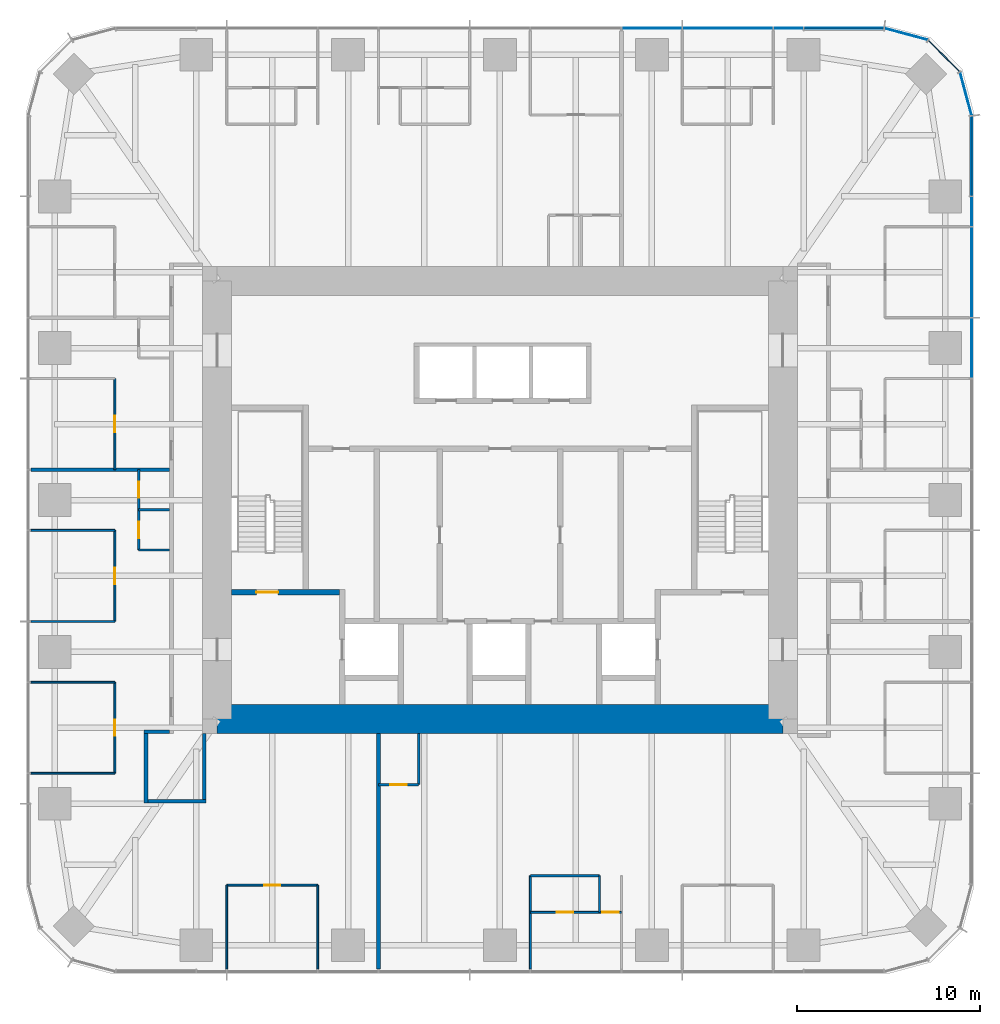
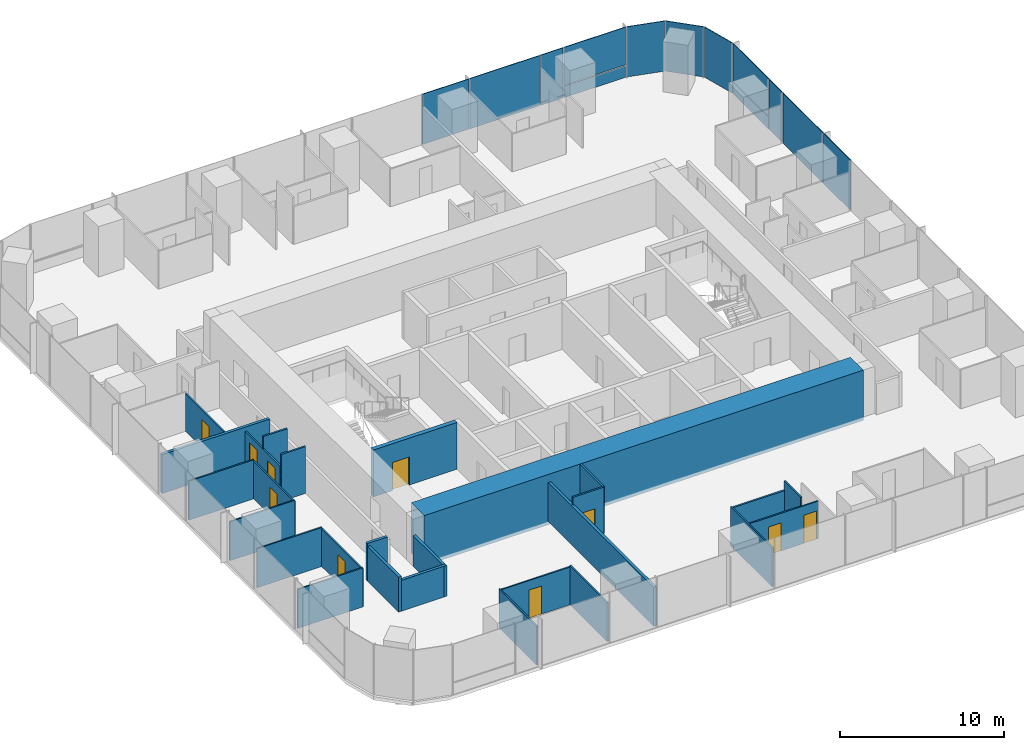
# One storey, part 8 of 12: 27 walls, 13 plates, 10 doors, 10 openings, 3 elements without a shape of their own.
"""IFC4 building model written with IfcOpenShell, lengths in metres."""

from ifc_helpers import new_model, si_unit, direction, frame, frame_2d, origin, origin_2d, place, context, subcontext, project, spatial, rectangle, extrude, material, layer, layer_set, type_object, element, fill, aggregate, save


model = new_model("IFC4")

# Units and contexts
model_context = context("Model", 3, precision=1e-05, world=origin(), true_north=direction((0.0, 1.0)))
body_context = subcontext(model_context, "Body", "Model", "MODEL_VIEW")
ifc_project = project(units=[si_unit("LENGTHUNIT", "METRE"), si_unit("AREAUNIT", "SQUARE_METRE"), si_unit("VOLUMEUNIT", "CUBIC_METRE"), si_unit("PLANEANGLEUNIT", "RADIAN"), si_unit("MASSUNIT", "GRAM", prefix="KILO")], contexts=[model_context])

# Site, building, storey
site_placement = place(None, origin())
site = spatial("IfcSite", under=ifc_project, at=site_placement, CompositionType="ELEMENT")
building_placement = place(site_placement, origin())
building = spatial("IfcBuilding", under=site, at=building_placement, Name="Khuree Lantern Residences", CompositionType="ELEMENT")
storey_placement = place(building_placement, frame((0.0, 0.0, 244.5)))
storey = spatial("IfcBuildingStorey", under=building, at=storey_placement, Name="L61", CompositionType="ELEMENT", Elevation=244.5)

# Curtain wall, plates
ifc_material_1 = material(Name="Bronze anodised aluminium", Category="aluminium")
curtain_wall_type_1 = type_object("IfcCurtainWallType", Name="CW-T2 TOWER CORNER CURTAIN WALL", PredefinedType="USERDEFINED", material=ifc_material_1)
curtain_wall_1_placement = place(storey_placement, origin())
curtain_wall_1 = element("IfcCurtainWall", 1, at=curtain_wall_1_placement, inside=storey, type_object=curtain_wall_type_1, Name="L61 NORTH-EAST CORNER CURTAIN WALL", ObjectType="Faceted corner curtain wall", PredefinedType="USERDEFINED")
ifc_material_2 = material(Name="Bronze tinted triple glazing", Category="glass")
ifc_layer_1 = layer(ifc_material_2, 0.048095703125)
ifc_layer_set_1 = layer_set([ifc_layer_1], Name="FACET PANEL P4")
plate_type_1 = type_object("IfcPlateType", Name="FACET PANEL P4", PredefinedType="CURTAIN_PANEL", material=ifc_layer_set_1)
plate_1_placement = place(storey_placement, frame((25.529052734375, 22.248046875, 0.0), z_axis=(0.0, 0.0, 1.0), x_axis=(-0.258819021888, 0.965925832509, 0.0)))
plate_1 = element("IfcPlate", 2, at=plate_1_placement, type_object=plate_type_1, Name="L61 NORTH-EAST CORNER PANEL 15.1", PredefinedType="CURTAIN_PANEL", context=body_context, shape_type="SweptSolid", body=[
    extrude(rectangle(XDim=2.40869140625, YDim=0.048095703125, at=origin_2d()), origin(), (0.0, 0.0, 1.0), 3.75),
])
plate_2_placement = place(storey_placement, frame((24.328369140625, 24.328369140625, 0.0), z_axis=(0.0, 0.0, 1.0), x_axis=(-0.707106781187, 0.707106781187, 0.0)))
plate_2 = element("IfcPlate", 3, at=plate_2_placement, type_object=plate_type_1, Name="L61 NORTH-EAST CORNER PANEL 16.1", PredefinedType="CURTAIN_PANEL", context=body_context, shape_type="SweptSolid", body=[
    extrude(rectangle(XDim=2.404541015625, YDim=0.048095703125, at=origin_2d()), origin(), (0.0, 0.0, 1.0), 3.75),
])
plate_3_placement = place(storey_placement, frame((22.248046875, 25.529052734375, 0.0), z_axis=(0.0, 0.0, 1.0), x_axis=(-0.965925832509, 0.258819021888, 0.0)))
plate_3 = element("IfcPlate", 4, at=plate_3_placement, type_object=plate_type_1, Name="L61 NORTH-EAST CORNER PANEL 17.1", PredefinedType="CURTAIN_PANEL", context=body_context, shape_type="SweptSolid", body=[
    extrude(rectangle(XDim=2.40869140625, YDim=0.048095703125, at=origin_2d()), origin(), (0.0, 0.0, 1.0), 3.75),
])
aggregate(curtain_wall_1, [plate_1, plate_2, plate_3])

# Curtain wall, plate
curtain_wall_type_2 = type_object("IfcCurtainWallType", Name="CW-T1 TOWER FACE CURTAIN WALL", PredefinedType="USERDEFINED", material=ifc_material_1)
curtain_wall_2_placement = place(storey_placement, origin())
curtain_wall_2 = element("IfcCurtainWall", 5, at=curtain_wall_2_placement, inside=storey, type_object=curtain_wall_type_2, Name="L61 EAST FACE CURTAIN WALL", ObjectType="Stick-built curtain wall", PredefinedType="USERDEFINED")
ifc_material_3 = material(Name="Bronze tinted triple glazing with a ceramic-fritted spandrel band", Category="glass")
ifc_layer_2 = layer(ifc_material_3, 0.048095703125)
ifc_layer_set_2 = layer_set([ifc_layer_2], Name="FIXED LIGHT PANEL P11")
plate_type_2 = type_object("IfcPlateType", Name="FIXED LIGHT PANEL P11", PredefinedType="CURTAIN_PANEL", material=ifc_layer_set_2)
plate_4_placement = place(storey_placement, frame((25.85009765625, 12.47998046875, 0.0), z_axis=(0.0, 0.0, 1.0), x_axis=(0.0, 1.0, 0.0)))
plate_4 = element("IfcPlate", 6, at=plate_4_placement, type_object=plate_type_2, Name="L61 EAST FACE PANEL 12.1", PredefinedType="CURTAIN_PANEL", context=body_context, shape_type="SweptSolid", body=[
    extrude(rectangle(XDim=4.927001953125, YDim=0.048095703125, at=origin_2d()), origin(), (0.0, 0.0, 1.0), 3.75),
])

curtain_wall_3_placement = place(storey_placement, origin())
curtain_wall_3 = element("IfcCurtainWall", 7, at=curtain_wall_3_placement, inside=storey, type_object=curtain_wall_type_2, Name="L61 NORTH FACE CURTAIN WALL", ObjectType="Stick-built curtain wall", PredefinedType="USERDEFINED")
plate_5_placement = place(storey_placement, frame((12.47998046875, 25.85009765625, 0.0), z_axis=(0.0, 0.0, 1.0), x_axis=(-1.0, 0.0, 0.0)))
plate_5 = element("IfcPlate", 8, at=plate_5_placement, type_object=plate_type_2, Name="L61 NORTH FACE PANEL 20.1", PredefinedType="CURTAIN_PANEL", context=body_context, shape_type="SweptSolid", body=[
    extrude(rectangle(XDim=4.927001953125, YDim=0.048095703125, at=origin_2d()), origin(), (0.0, 0.0, 1.0), 3.75),
])

# Plate
ifc_material_4 = material(Name="Bronze tinted triple glazing, two aluminium-framed sashes in one frame", Category="aluminium")
ifc_layer_3 = layer(ifc_material_4, 0.048095703125)
ifc_layer_set_3 = layer_set([ifc_layer_3], Name="SASH PAIR PANEL P12")
plate_type_3 = type_object("IfcPlateType", Name="SASH PAIR PANEL P12", PredefinedType="CURTAIN_PANEL", material=ifc_layer_set_3)
plate_6_placement = place(storey_placement, frame((25.85009765625, 8.320068359375, 0.0), z_axis=(0.0, 0.0, 1.0), x_axis=(0.0, 1.0, 0.0)))
plate_6 = element("IfcPlate", 9, at=plate_6_placement, type_object=plate_type_3, Name="L61 EAST FACE PANEL 11.1", PredefinedType="CURTAIN_PANEL", context=body_context, shape_type="SweptSolid", body=[
    extrude(rectangle(XDim=3.262939453125, YDim=0.048095703125, at=origin_2d()), origin(), (0.0, 0.0, 1.0), 3.75),
])

plate_7_placement = place(storey_placement, frame((8.320068359375, 25.85009765625, 0.0), z_axis=(0.0, 0.0, 1.0), x_axis=(-1.0, 0.0, 0.0)))
plate_7 = element("IfcPlate", 10, at=plate_7_placement, type_object=plate_type_3, Name="L61 NORTH FACE PANEL 21.1", PredefinedType="CURTAIN_PANEL", context=body_context, shape_type="SweptSolid", body=[
    extrude(rectangle(XDim=3.262939453125, YDim=0.048095703125, at=origin_2d()), origin(), (0.0, 0.0, 1.0), 3.75),
])

ifc_material_5 = material(Name="Bronze tinted triple glazing, aluminium-framed sash", Category="aluminium")
ifc_layer_4 = layer(ifc_material_5, 0.048095703125)
ifc_layer_set_4 = layer_set([ifc_layer_4], Name="SASH PANEL P3")
plate_type_4 = type_object("IfcPlateType", Name="SASH PANEL P3", PredefinedType="CURTAIN_PANEL", material=ifc_layer_set_4)
plate_8_placement = place(storey_placement, frame((25.85009765625, 15.80810546875, 0.0), z_axis=(0.0, 0.0, 1.0), x_axis=(0.0, 1.0, 0.0)))
plate_8 = element("IfcPlate", 11, at=plate_8_placement, type_object=plate_type_4, Name="L61 EAST FACE PANEL 13.1", PredefinedType="CURTAIN_PANEL", context=body_context, shape_type="SweptSolid", body=[
    extrude(rectangle(XDim=1.59912109375, YDim=0.048095703125, at=origin_2d()), origin(), (0.0, 0.0, 1.0), 3.75),
])

plate_9_placement = place(storey_placement, frame((15.80810546875, 25.85009765625, 0.0), z_axis=(0.0, 0.0, 1.0), x_axis=(-1.0, 0.0, 0.0)))
plate_9 = element("IfcPlate", 12, at=plate_9_placement, type_object=plate_type_4, Name="L61 NORTH FACE PANEL 19.1", PredefinedType="CURTAIN_PANEL", context=body_context, shape_type="SweptSolid", body=[
    extrude(rectangle(XDim=1.59912109375, YDim=0.048095703125, at=origin_2d()), origin(), (0.0, 0.0, 1.0), 3.75),
])

ifc_material_6 = material(Name="Bronze anodised aluminium insulated spandrel", Category="aluminium")
ifc_layer_5 = layer(ifc_material_6, 0.06005859375)
ifc_layer_set_5 = layer_set([ifc_layer_5], Name="SPANDREL PANEL P2")
plate_type_5 = type_object("IfcPlateType", Name="SPANDREL PANEL P2", PredefinedType="CURTAIN_PANEL", material=ifc_layer_set_5)
plate_10_placement = place(storey_placement, frame((25.85009765625, 18.8427734375, 0.0), z_axis=(0.0, 0.0, 1.0), x_axis=(0.0, 1.0, 0.0)))
plate_10 = element("IfcPlate", 13, at=plate_10_placement, type_object=plate_type_5, Name="L61 EAST FACE PANEL 14.1", PredefinedType="CURTAIN_PANEL", context=body_context, shape_type="SweptSolid", body=[
    extrude(rectangle(XDim=4.3408203125, YDim=0.06005859375, at=origin_2d()), origin(), (0.0, 0.0, 1.0), 0.867431640625),
])

plate_11_placement = place(storey_placement, frame((18.8427734375, 25.85009765625, 0.0), z_axis=(0.0, 0.0, 1.0), x_axis=(-1.0, 0.0, 0.0)))
plate_11 = element("IfcPlate", 14, at=plate_11_placement, type_object=plate_type_5, Name="L61 NORTH FACE PANEL 18.1", PredefinedType="CURTAIN_PANEL", context=body_context, shape_type="SweptSolid", body=[
    extrude(rectangle(XDim=4.3408203125, YDim=0.06005859375, at=origin_2d()), origin(), (0.0, 0.0, 1.0), 0.867431640625),
])

ifc_layer_6 = layer(ifc_material_2, 0.048095703125)
ifc_layer_set_6 = layer_set([ifc_layer_6], Name="VISION PANEL P1")
plate_type_6 = type_object("IfcPlateType", Name="VISION PANEL P1", PredefinedType="CURTAIN_PANEL", material=ifc_layer_set_6)
plate_12_placement = place(storey_placement, frame((25.85009765625, 18.84326171875, 0.9326171875), z_axis=(0.0, 0.0, 1.0), x_axis=(0.0, 1.0, 0.0)))
plate_12 = element("IfcPlate", 15, at=plate_12_placement, type_object=plate_type_6, Name="L61 EAST FACE PANEL 14.2", PredefinedType="CURTAIN_PANEL", context=body_context, shape_type="SweptSolid", body=[
    extrude(rectangle(XDim=4.341552734375, YDim=0.048095703125, at=origin_2d()), origin(), (0.0, 0.0, 1.0), 2.8173828125),
])

aggregate(curtain_wall_2, [plate_6, plate_4, plate_8, plate_10, plate_12])

plate_13_placement = place(storey_placement, frame((18.84326171875, 25.85009765625, 0.9326171875), z_axis=(0.0, 0.0, 1.0), x_axis=(-1.0, 0.0, 0.0)))
plate_13 = element("IfcPlate", 16, at=plate_13_placement, type_object=plate_type_6, Name="L61 NORTH FACE PANEL 18.2", PredefinedType="CURTAIN_PANEL", context=body_context, shape_type="SweptSolid", body=[
    extrude(rectangle(XDim=4.341552734375, YDim=0.048095703125, at=origin_2d()), origin(), (0.0, 0.0, 1.0), 2.8173828125),
])

aggregate(curtain_wall_3, [plate_11, plate_13, plate_9, plate_5, plate_7])

# Wall, openings, doors
ifc_material_7 = material(Name="Moisture-resistant gypsum board on steel studs", Category="steel")
ifc_layer_7 = layer(ifc_material_7, 0.125)
ifc_layer_set_7 = layer_set([ifc_layer_7], Name="BATHROOM WALL BTW125")
wall_type_1 = type_object("IfcWallType", Name="BATHROOM WALL BTW125", PredefinedType="PARTITIONING", material=ifc_layer_set_7)
wall_1_placement = place(storey_placement, frame((-19.800048828125, 1.6640625, 0.0), z_axis=(0.0, 0.0, 1.0), x_axis=(0.0, -1.0, 0.0)))
wall_1 = element("IfcWall", 17, at=wall_1_placement, inside=storey, type_object=wall_type_1, Name="L61 BATHROOM WALL 05", PredefinedType="PARTITIONING", context=body_context, shape_type="SweptSolid", body=[
    extrude(rectangle(XDim=4.400146484375, YDim=0.125, at=frame_2d((2.2001953125, 0.0))), origin(), (0.0, 0.0, 1.0), 2.60009765625),
])
opening_1_placement = place(wall_1_placement, frame((0.64990234375, 0.0, 0.0)))
opening_1 = element("IfcOpeningElement", 18, at=opening_1_placement, cuts=wall_1, Name="Opening 61-045", PredefinedType="OPENING", context=body_context, shape_type="SweptSolid", body=[
    extrude(rectangle(XDim=0.89990234375, YDim=2.10009765625, at=frame_2d((0.449951171875, 1.050048828125))), frame((0.0, 0.072509765625, 0.0), z_axis=(0.0, -1.0, 0.0), x_axis=(1.0, 0.0, 0.0)), (0.0, 0.0, 1.0), 0.14501953125),
])
opening_2_placement = place(wall_1_placement, frame((2.85009765625, 0.0, 0.0)))
opening_2 = element("IfcOpeningElement", 19, at=opening_2_placement, cuts=wall_1, Name="Opening 61-046", PredefinedType="OPENING", context=body_context, shape_type="SweptSolid", body=[
    extrude(rectangle(XDim=0.89990234375, YDim=2.10009765625, at=frame_2d((0.449951171875, 1.050048828125))), frame((0.0, 0.072509765625, 0.0), z_axis=(0.0, -1.0, 0.0), x_axis=(1.0, 0.0, 0.0)), (0.0, 0.0, 1.0), 0.14501953125),
])
ifc_material_8 = material(Name="Timber door leaf in hardwood frame", Category="wood")
door_type_1 = type_object("IfcDoorType", Name="BATHROOM DOOR 900X2100", OperationType="SINGLE_SWING_LEFT", PredefinedType="DOOR", material=ifc_material_8)
door_1_placement = place(opening_1_placement, origin())
door_1 = element("IfcDoor", 20, at=door_1_placement, inside=storey, type_object=door_type_1, Name="Bathroom door 61-045", OperationType="SINGLE_SWING_LEFT", OverallHeight=2.10009765625, OverallWidth=0.89990234375, PredefinedType="DOOR", context=body_context, shape_type="SweptSolid", body=[
    extrude(rectangle(XDim=0.89990234375, YDim=2.10009765625, at=frame_2d((0.449951171875, 1.050048828125))), frame((0.0, 0.02490234375, 0.0), z_axis=(0.0, -1.0, 0.0), x_axis=(1.0, 0.0, 0.0)), (0.0, 0.0, 1.0), 0.050048828125),
])
fill(opening_1, door_1)
door_2_placement = place(opening_2_placement, origin())
door_2 = element("IfcDoor", 21, at=door_2_placement, inside=storey, type_object=door_type_1, Name="Bathroom door 61-046", OperationType="SINGLE_SWING_LEFT", OverallHeight=2.10009765625, OverallWidth=0.89990234375, PredefinedType="DOOR", context=body_context, shape_type="SweptSolid", body=[
    extrude(rectangle(XDim=0.89990234375, YDim=2.10009765625, at=frame_2d((0.449951171875, 1.050048828125))), frame((0.0, 0.02490234375, 0.0), z_axis=(0.0, -1.0, 0.0), x_axis=(1.0, 0.0, 0.0)), (0.0, 0.0, 1.0), 0.050048828125),
])
fill(opening_2, door_2)

# Walls
for number, where, z_axis, x_axis, name in (
    (22, (-18.10009765625, -0.535888671875, 0.0), (0.0, 0.0, 1.0), (-1.0, 0.0, 0.0), "L61 BATHROOM WALL 05"),
    (23, (-18.10009765625, -2.736083984375, 0.0), (0.0, 0.0, 1.0), (-1.0, 0.0, 0.0), "L61 BATHROOM WALL 05"),
):
    element("IfcWall", number, at=place(storey_placement, frame(where, z_axis=z_axis, x_axis=x_axis)), inside=storey, type_object=wall_type_1, Name=name, PredefinedType="PARTITIONING", context=body_context, shape_type="SweptSolid", body=[
        extrude(rectangle(XDim=1.699951171875, YDim=0.125, at=frame_2d((0.85009765625, 0.0))), origin(), (0.0, 0.0, 1.0), 3.5),
    ])
wall_2_placement = place(storey_placement, frame((1.6640625, -20.594970703125, 0.0), z_axis=(0.0, 0.0, 1.0), x_axis=(1.0, 0.0, 0.0)))
element("IfcWall", 24, at=wall_2_placement, inside=storey, type_object=wall_type_1, Name="L61 BATHROOM WALL 06", PredefinedType="PARTITIONING", context=body_context, shape_type="SweptSolid", body=[
    extrude(rectangle(XDim=3.7919921875, YDim=0.125, at=frame_2d((1.89599609375, 0.0))), origin(), (0.0, 0.0, 1.0), 2.81005859375),
])

# Wall, opening, door
wall_3_placement = place(storey_placement, frame((-6.656005859375, -15.60009765625, 0.0), z_axis=(0.0, 0.0, 1.0), x_axis=(1.0, 0.0, 0.0)))
wall_3 = element("IfcWall", 25, at=wall_3_placement, inside=storey, type_object=wall_type_1, Name="L61 BATHROOM WALL 06", PredefinedType="PARTITIONING", context=body_context, shape_type="SweptSolid", body=[
    extrude(rectangle(XDim=2.199951171875, YDim=0.125, at=frame_2d((1.10009765625, 0.0))), origin(), (0.0, 0.0, 1.0), 3.5),
])
opening_3_placement = place(wall_3_placement, frame((0.64990234375, 0.0, 0.0)))
opening_3 = element("IfcOpeningElement", 26, at=opening_3_placement, cuts=wall_3, Name="Opening 61-052", PredefinedType="OPENING", context=body_context, shape_type="SweptSolid", body=[
    extrude(rectangle(XDim=0.89990234375, YDim=2.10009765625, at=frame_2d((0.449951171875, 1.050048828125))), frame((0.0, 0.072509765625, 0.0), z_axis=(0.0, -1.0, 0.0), x_axis=(1.0, 0.0, 0.0)), (0.0, 0.0, 1.0), 0.14501953125),
])
door_3_placement = place(opening_3_placement, origin())
door_3 = element("IfcDoor", 27, at=door_3_placement, inside=storey, type_object=door_type_1, Name="Bathroom door 61-052", OperationType="SINGLE_SWING_LEFT", OverallHeight=2.10009765625, OverallWidth=0.89990234375, PredefinedType="DOOR", context=body_context, shape_type="SweptSolid", body=[
    extrude(rectangle(XDim=0.89990234375, YDim=2.10009765625, at=frame_2d((0.449951171875, 1.050048828125))), frame((0.0, 0.02490234375, 0.0), z_axis=(0.0, -1.0, 0.0), x_axis=(1.0, 0.0, 0.0)), (0.0, 0.0, 1.0), 0.050048828125),
])
fill(opening_3, door_3)

# Walls
wall_4_placement = place(storey_placement, frame((-4.4560546875, -12.800048828125, 0.0), z_axis=(0.0, 0.0, 1.0), x_axis=(0.0, -1.0, 0.0)))
element("IfcWall", 28, at=wall_4_placement, inside=storey, type_object=wall_type_1, Name="L61 BATHROOM WALL 06", PredefinedType="PARTITIONING", context=body_context, shape_type="SweptSolid", body=[
    extrude(rectangle(XDim=2.800048828125, YDim=0.125, at=frame_2d((1.39990234375, 0.0))), origin(), (0.0, 0.0, 1.0), 3.5),
])
ifc_material_9 = material(Name="Gypsum board on steel studs", Category="steel")
ifc_layer_8 = layer(ifc_material_9, 0.199951171875)
ifc_layer_set_8 = layer_set([ifc_layer_8], Name="CORRIDOR WALL CRW200 EI 60")
wall_type_2 = type_object("IfcWallType", Name="CORRIDOR WALL CRW200 EI 60", PredefinedType="PARTITIONING", material=ifc_layer_set_8)
wall_5_placement = place(storey_placement, frame((-18.10009765625, -12.699951171875, 0.0), z_axis=(0.0, 0.0, 1.0), x_axis=(-1.0, 0.0, 0.0)))
element("IfcWall", 29, at=wall_5_placement, inside=storey, type_object=wall_type_2, Name="L61 RESIDENTS LOUNGE WALL", PredefinedType="PARTITIONING", context=body_context, shape_type="SweptSolid", body=[
    extrude(rectangle(XDim=1.39990234375, YDim=0.199951171875, at=frame_2d((0.699951171875, 0.0))), origin(), (0.0, 0.0, 1.0), 2.81005859375),
])
wall_6_placement = place(storey_placement, frame((-19.39990234375, -12.60009765625, 0.0), z_axis=(0.0, 0.0, 1.0), x_axis=(0.0, -1.0, 0.0)))
element("IfcWall", 30, at=wall_6_placement, inside=storey, type_object=wall_type_2, Name="L61 RESIDENTS LOUNGE WALL", PredefinedType="PARTITIONING", context=body_context, shape_type="SweptSolid", body=[
    extrude(rectangle(XDim=4.0, YDim=0.199951171875, at=frame_2d((2.0, 0.0))), origin(), (0.0, 0.0, 1.0), 2.60009765625),
])
wall_7_placement = place(storey_placement, frame((-19.300048828125, -16.5, 0.0), z_axis=(0.0, 0.0, 1.0), x_axis=(1.0, 0.0, 0.0)))
element("IfcWall", 31, at=wall_7_placement, inside=storey, type_object=wall_type_2, Name="L61 RESIDENTS LOUNGE WALL", PredefinedType="PARTITIONING", context=body_context, shape_type="SweptSolid", body=[
    extrude(rectangle(XDim=3.199951171875, YDim=0.199951171875, at=frame_2d((1.60009765625, 0.0))), origin(), (0.0, 0.0, 1.0), 2.300048828125),
])
wall_8_placement = place(storey_placement, frame((-16.199951171875, -16.60009765625, 0.0), z_axis=(0.0, 0.0, 1.0), x_axis=(0.0, 1.0, 0.0)))
element("IfcWall", 32, at=wall_8_placement, inside=storey, type_object=wall_type_2, Name="L61 RESIDENTS LOUNGE WALL", PredefinedType="PARTITIONING", context=body_context, shape_type="SweptSolid", body=[
    extrude(rectangle(XDim=3.800048828125, YDim=0.199951171875, at=frame_2d((1.89990234375, 0.0))), origin(), (0.0, 0.0, 1.0), 2.300048828125),
])
ifc_material_10 = material(Name="Concrete C50/60", Category="concrete")
ifc_layer_9 = layer(ifc_material_10, 1.60009765625)
ifc_layer_set_9 = layer_set([ifc_layer_9], Name="CW1600-C50 CORE WALL C50 1600")
wall_type_3 = type_object("IfcWallType", Name="CW1600-C50 CORE WALL C50 1600", PredefinedType="SHEAR", material=ifc_layer_set_9)
wall_9_placement = place(storey_placement, frame((-15.5, -12.0, -0.25), z_axis=(0.0, 0.0, 1.0), x_axis=(1.0, 0.0, 0.0)))
element("IfcWall", 33, at=wall_9_placement, inside=storey, type_object=wall_type_3, Name="Core wall S", PredefinedType="SHEAR", context=body_context, shape_type="SweptSolid", body=[
    extrude(rectangle(XDim=31.0, YDim=1.60009765625, at=frame_2d((15.5, 0.0))), origin(), (0.0, 0.0, 1.0), 3.75),
])
ifc_layer_10 = layer(ifc_material_9, 0.199951171875)
ifc_layer_set_10 = layer_set([ifc_layer_10], Name="DEMISING WALL DMW200 EI 90")
wall_type_4 = type_object("IfcWallType", Name="DEMISING WALL DMW200 EI 90", PredefinedType="PARTITIONING", material=ifc_layer_set_10)
wall_10_placement = place(storey_placement, frame((-18.10009765625, 1.6640625, 0.0), z_axis=(0.0, 0.0, 1.0), x_axis=(-1.0, 0.0, 0.0)))
element("IfcWall", 34, at=wall_10_placement, inside=storey, type_object=wall_type_4, Name="L61 DEMISING WALL 05", PredefinedType="PARTITIONING", context=body_context, shape_type="SweptSolid", body=[
    extrude(rectangle(XDim=7.599853515625, YDim=0.199951171875, at=frame_2d((3.7998046875, 0.0))), origin(), (0.0, 0.0, 1.0), 2.909912109375),
])
wall_11_placement = place(storey_placement, frame((-6.656005859375, -12.800048828125, 0.0), z_axis=(0.0, 0.0, 1.0), x_axis=(0.0, -1.0, 0.0)))
element("IfcWall", 35, at=wall_11_placement, inside=storey, type_object=wall_type_4, Name="L61 DEMISING WALL 06", PredefinedType="PARTITIONING", context=body_context, shape_type="SweptSolid", body=[
    extrude(rectangle(XDim=12.89990234375, YDim=0.199951171875, at=frame_2d((6.449951171875, 0.0))), origin(), (0.0, 0.0, 1.0), 2.909912109375),
])
ifc_layer_11 = layer(ifc_material_9, 0.10009765625)
ifc_layer_set_11 = layer_set([ifc_layer_11], Name="PARTITION PT100")
wall_type_5 = type_object("IfcWallType", Name="PARTITION PT100", PredefinedType="PARTITIONING", material=ifc_layer_set_11)
for number, where, z_axis, x_axis, name in (
    (36, (-21.10009765625, -1.6640625, 0.0), (0.0, 0.0, 1.0), (-1.0, 0.0, 0.0), "L61 PARTITION 05"),
    (37, (-21.10009765625, -6.656005859375, 0.0), (0.0, 0.0, 1.0), (-1.0, 0.0, 0.0), "L61 PARTITION 05"),
    (38, (-21.10009765625, -9.98388671875, 0.0), (0.0, 0.0, 1.0), (-1.0, 0.0, 0.0), "L61 PARTITION 05"),
    (39, (-21.10009765625, -14.97607421875, 0.0), (0.0, 0.0, 1.0), (-1.0, 0.0, 0.0), "L61 PARTITION 05"),
    (40, (-14.97607421875, -21.10009765625, 0.0), (0.0, 0.0, 1.0), (0.0, -1.0, 0.0), "L61 PARTITION 05"),
    (41, (-9.98388671875, -21.10009765625, 0.0), (0.0, 0.0, 1.0), (0.0, -1.0, 0.0), "L61 PARTITION 05"),
):
    element("IfcWall", number, at=place(storey_placement, frame(where, z_axis=z_axis, x_axis=x_axis)), inside=storey, type_object=wall_type_5, Name=name, PredefinedType="PARTITIONING", context=body_context, shape_type="SweptSolid", body=[
        extrude(rectangle(XDim=4.599853515625, YDim=0.10009765625, at=frame_2d((2.2998046875, 0.0))), origin(), (0.0, 0.0, 1.0), 2.909912109375),
    ])
wall_12_placement = place(storey_placement, frame((1.6640625, -20.594970703125, 0.0), z_axis=(0.0, 0.0, 1.0), x_axis=(0.0, -1.0, 0.0)))
element("IfcWall", 42, at=wall_12_placement, inside=storey, type_object=wall_type_5, Name="L61 PARTITION 06", PredefinedType="PARTITIONING", context=body_context, shape_type="SweptSolid", body=[
    extrude(rectangle(XDim=5.10498046875, YDim=0.10009765625, at=frame_2d((2.552490234375, 0.0))), origin(), (0.0, 0.0, 1.0), 2.909912109375),
])

# Wall, opening, door
wall_13_placement = place(storey_placement, frame((-21.10009765625, 6.656005859375, 0.0), z_axis=(0.0, 0.0, 1.0), x_axis=(0.0, -1.0, 0.0)))
wall_13 = element("IfcWall", 43, at=wall_13_placement, inside=storey, type_object=wall_type_5, Name="L61 PARTITION 04", PredefinedType="PARTITIONING", context=body_context, shape_type="SweptSolid", body=[
    extrude(rectangle(XDim=4.991943359375, YDim=0.10009765625, at=frame_2d((2.49609375, 0.0))), origin(), (0.0, 0.0, 1.0), 2.81005859375),
])
opening_4_placement = place(wall_13_placement, frame((2.0458984375, 0.0, 0.0)))
opening_4 = element("IfcOpeningElement", 44, at=opening_4_placement, cuts=wall_13, Name="Opening 61-039", PredefinedType="OPENING", context=body_context, shape_type="SweptSolid", body=[
    extrude(rectangle(XDim=0.89990234375, YDim=2.10009765625, at=frame_2d((0.449951171875, 1.050048828125))), frame((0.0, 0.06005859375, 0.0), z_axis=(0.0, -1.0, 0.0), x_axis=(1.0, 0.0, 0.0)), (0.0, 0.0, 1.0), 0.1201171875),
])
door_type_2 = type_object("IfcDoorType", Name="BEDROOM DOOR 900X2100 RIGHT HAND", OperationType="SINGLE_SWING_RIGHT", PredefinedType="DOOR", material=ifc_material_8)
door_4_placement = place(opening_4_placement, origin())
door_4 = element("IfcDoor", 45, at=door_4_placement, inside=storey, type_object=door_type_2, Name="Bedroom door 61-039", OperationType="SINGLE_SWING_RIGHT", OverallHeight=2.10009765625, OverallWidth=0.89990234375, PredefinedType="DOOR", context=body_context, shape_type="SweptSolid", body=[
    extrude(rectangle(XDim=0.89990234375, YDim=2.10009765625, at=frame_2d((0.449951171875, 1.050048828125))), frame((0.0, 0.02490234375, 0.0), z_axis=(0.0, -1.0, 0.0), x_axis=(1.0, 0.0, 0.0)), (0.0, 0.0, 1.0), 0.050048828125),
])
fill(opening_4, door_4)

wall_14_placement = place(storey_placement, frame((-21.10009765625, -1.6640625, 0.0), z_axis=(0.0, 0.0, 1.0), x_axis=(0.0, -1.0, 0.0)))
wall_14 = element("IfcWall", 46, at=wall_14_placement, inside=storey, type_object=wall_type_5, Name="L61 PARTITION 05", PredefinedType="PARTITIONING", context=body_context, shape_type="SweptSolid", body=[
    extrude(rectangle(XDim=4.991943359375, YDim=0.10009765625, at=frame_2d((2.49609375, 0.0))), origin(), (0.0, 0.0, 1.0), 2.81005859375),
])
opening_5_placement = place(wall_14_placement, frame((2.0458984375, 0.0, 0.0)))
opening_5 = element("IfcOpeningElement", 47, at=opening_5_placement, cuts=wall_14, Name="Opening 61-042", PredefinedType="OPENING", context=body_context, shape_type="SweptSolid", body=[
    extrude(rectangle(XDim=0.89990234375, YDim=2.10009765625, at=frame_2d((0.449951171875, 1.050048828125))), frame((0.0, 0.06005859375, 0.0), z_axis=(0.0, -1.0, 0.0), x_axis=(1.0, 0.0, 0.0)), (0.0, 0.0, 1.0), 0.1201171875),
])
door_type_3 = type_object("IfcDoorType", Name="BEDROOM DOOR 900X2100", OperationType="SINGLE_SWING_LEFT", PredefinedType="DOOR", material=ifc_material_8)
door_5_placement = place(opening_5_placement, origin())
door_5 = element("IfcDoor", 48, at=door_5_placement, inside=storey, type_object=door_type_3, Name="Bedroom door 61-042", OperationType="SINGLE_SWING_LEFT", OverallHeight=2.10009765625, OverallWidth=0.89990234375, PredefinedType="DOOR", context=body_context, shape_type="SweptSolid", body=[
    extrude(rectangle(XDim=0.89990234375, YDim=2.10009765625, at=frame_2d((0.449951171875, 1.050048828125))), frame((0.0, 0.02490234375, 0.0), z_axis=(0.0, -1.0, 0.0), x_axis=(1.0, 0.0, 0.0)), (0.0, 0.0, 1.0), 0.050048828125),
])
fill(opening_5, door_5)

wall_15_placement = place(storey_placement, frame((-21.10009765625, -9.98388671875, 0.0), z_axis=(0.0, 0.0, 1.0), x_axis=(0.0, -1.0, 0.0)))
wall_15 = element("IfcWall", 49, at=wall_15_placement, inside=storey, type_object=wall_type_5, Name="L61 PARTITION 05", PredefinedType="PARTITIONING", context=body_context, shape_type="SweptSolid", body=[
    extrude(rectangle(XDim=4.9921875, YDim=0.10009765625, at=frame_2d((2.49609375, 0.0))), origin(), (0.0, 0.0, 1.0), 2.81005859375),
])
opening_6_placement = place(wall_15_placement, frame((2.0458984375, 0.0, 0.0)))
opening_6 = element("IfcOpeningElement", 50, at=opening_6_placement, cuts=wall_15, Name="Opening 61-043", PredefinedType="OPENING", context=body_context, shape_type="SweptSolid", body=[
    extrude(rectangle(XDim=0.89990234375, YDim=2.10009765625, at=frame_2d((0.449951171875, 1.050048828125))), frame((0.0, 0.06005859375, 0.0), z_axis=(0.0, -1.0, 0.0), x_axis=(1.0, 0.0, 0.0)), (0.0, 0.0, 1.0), 0.1201171875),
])
door_6_placement = place(opening_6_placement, origin())
door_6 = element("IfcDoor", 51, at=door_6_placement, inside=storey, type_object=door_type_3, Name="Bedroom door 61-043", OperationType="SINGLE_SWING_LEFT", OverallHeight=2.10009765625, OverallWidth=0.89990234375, PredefinedType="DOOR", context=body_context, shape_type="SweptSolid", body=[
    extrude(rectangle(XDim=0.89990234375, YDim=2.10009765625, at=frame_2d((0.449951171875, 1.050048828125))), frame((0.0, 0.02490234375, 0.0), z_axis=(0.0, -1.0, 0.0), x_axis=(1.0, 0.0, 0.0)), (0.0, 0.0, 1.0), 0.050048828125),
])
fill(opening_6, door_6)

wall_16_placement = place(storey_placement, frame((-14.97607421875, -21.10009765625, 0.0), z_axis=(0.0, 0.0, 1.0), x_axis=(1.0, 0.0, 0.0)))
wall_16 = element("IfcWall", 52, at=wall_16_placement, inside=storey, type_object=wall_type_5, Name="L61 PARTITION 05", PredefinedType="PARTITIONING", context=body_context, shape_type="SweptSolid", body=[
    extrude(rectangle(XDim=4.9921875, YDim=0.10009765625, at=frame_2d((2.49609375, 0.0))), origin(), (0.0, 0.0, 1.0), 2.81005859375),
])
opening_7_placement = place(wall_16_placement, frame((2.0458984375, 0.0, 0.0)))
opening_7 = element("IfcOpeningElement", 53, at=opening_7_placement, cuts=wall_16, Name="Opening 61-044", PredefinedType="OPENING", context=body_context, shape_type="SweptSolid", body=[
    extrude(rectangle(XDim=0.89990234375, YDim=2.10009765625, at=frame_2d((0.449951171875, 1.050048828125))), frame((0.0, 0.06005859375, 0.0), z_axis=(0.0, -1.0, 0.0), x_axis=(1.0, 0.0, 0.0)), (0.0, 0.0, 1.0), 0.1201171875),
])
door_7_placement = place(opening_7_placement, origin())
door_7 = element("IfcDoor", 54, at=door_7_placement, inside=storey, type_object=door_type_3, Name="Bedroom door 61-044", OperationType="SINGLE_SWING_LEFT", OverallHeight=2.10009765625, OverallWidth=0.89990234375, PredefinedType="DOOR", context=body_context, shape_type="SweptSolid", body=[
    extrude(rectangle(XDim=0.89990234375, YDim=2.10009765625, at=frame_2d((0.449951171875, 1.050048828125))), frame((0.0, 0.02490234375, 0.0), z_axis=(0.0, -1.0, 0.0), x_axis=(1.0, 0.0, 0.0)), (0.0, 0.0, 1.0), 0.050048828125),
])
fill(opening_7, door_7)

# Wall, openings, doors
wall_17_placement = place(storey_placement, frame((1.6640625, -22.594970703125, 0.0), z_axis=(0.0, 0.0, 1.0), x_axis=(1.0, 0.0, 0.0)))
wall_17 = element("IfcWall", 55, at=wall_17_placement, inside=storey, type_object=wall_type_5, Name="L61 PARTITION 06", PredefinedType="PARTITIONING", context=body_context, shape_type="SweptSolid", body=[
    extrude(rectangle(XDim=4.991943359375, YDim=0.10009765625, at=frame_2d((2.49609375, 0.0))), origin(), (0.0, 0.0, 1.0), 2.81005859375),
])
opening_8_placement = place(wall_17_placement, frame((3.94189453125, 0.0, 0.0)))
opening_8 = element("IfcOpeningElement", 56, at=opening_8_placement, cuts=wall_17, Name="Opening 61-048", PredefinedType="OPENING", context=body_context, shape_type="SweptSolid", body=[
    extrude(rectangle(XDim=0.89990234375, YDim=2.10009765625, at=frame_2d((0.449951171875, 1.050048828125))), frame((0.0, 0.06005859375, 0.0), z_axis=(0.0, -1.0, 0.0), x_axis=(1.0, 0.0, 0.0)), (0.0, 0.0, 1.0), 0.1201171875),
])
opening_9_placement = place(wall_17_placement, frame((1.446044921875, 0.0, 0.0)))
opening_9 = element("IfcOpeningElement", 57, at=opening_9_placement, cuts=wall_17, Name="Opening 61-049", PredefinedType="OPENING", context=body_context, shape_type="SweptSolid", body=[
    extrude(rectangle(XDim=0.89990234375, YDim=2.10009765625, at=frame_2d((0.449951171875, 1.050048828125))), frame((0.0, 0.06005859375, 0.0), z_axis=(0.0, -1.0, 0.0), x_axis=(1.0, 0.0, 0.0)), (0.0, 0.0, 1.0), 0.1201171875),
])
door_8_placement = place(opening_9_placement, origin())
door_8 = element("IfcDoor", 58, at=door_8_placement, inside=storey, type_object=door_type_1, Name="Bathroom door 61-049", OperationType="SINGLE_SWING_LEFT", OverallHeight=2.10009765625, OverallWidth=0.89990234375, PredefinedType="DOOR", context=body_context, shape_type="SweptSolid", body=[
    extrude(rectangle(XDim=0.89990234375, YDim=2.10009765625, at=frame_2d((0.449951171875, 1.050048828125))), frame((0.0, 0.02490234375, 0.0), z_axis=(0.0, -1.0, 0.0), x_axis=(1.0, 0.0, 0.0)), (0.0, 0.0, 1.0), 0.050048828125),
])
fill(opening_9, door_8)
door_9_placement = place(opening_8_placement, origin())
door_9 = element("IfcDoor", 59, at=door_9_placement, inside=storey, type_object=door_type_3, Name="Bedroom door 61-048", OperationType="SINGLE_SWING_LEFT", OverallHeight=2.10009765625, OverallWidth=0.89990234375, PredefinedType="DOOR", context=body_context, shape_type="SweptSolid", body=[
    extrude(rectangle(XDim=0.89990234375, YDim=2.10009765625, at=frame_2d((0.449951171875, 1.050048828125))), frame((0.0, 0.02490234375, 0.0), z_axis=(0.0, -1.0, 0.0), x_axis=(1.0, 0.0, 0.0)), (0.0, 0.0, 1.0), 0.050048828125),
])
fill(opening_8, door_9)

# Wall
wall_18_placement = place(storey_placement, frame((5.4560546875, -20.594970703125, 0.0), z_axis=(0.0, 0.0, 1.0), x_axis=(0.0, -1.0, 0.0)))
element("IfcWall", 60, at=wall_18_placement, inside=storey, type_object=wall_type_5, Name="L61 PARTITION 06", PredefinedType="PARTITIONING", context=body_context, shape_type="SweptSolid", body=[
    extrude(rectangle(XDim=2.0, YDim=0.10009765625, at=frame_2d((1.0, 0.0))), origin(), (0.0, 0.0, 1.0), 3.5),
])

# Wall, opening, door
ifc_layer_12 = layer(ifc_material_10, 0.300048828125)
ifc_layer_set_12 = layer_set([ifc_layer_12], Name="STAIR WALL SRW300 C50/60 REI 240")
wall_type_6 = type_object("IfcWallType", Name="STAIR WALL SRW300 C50/60 REI 240", PredefinedType="SOLIDWALL", material=ifc_layer_set_12)
wall_19_placement = place(storey_placement, frame((-14.699951171875, -5.050048828125, 0.0), z_axis=(0.0, 0.0, 1.0), x_axis=(1.0, 0.0, 0.0)))
wall_19 = element("IfcWall", 61, at=wall_19_placement, inside=storey, type_object=wall_type_6, Name="L61 STAIR WALL ST1S", PredefinedType="SOLIDWALL", context=body_context, shape_type="SweptSolid", body=[
    extrude(rectangle(XDim=5.89990234375, YDim=0.300048828125, at=frame_2d((2.949951171875, 0.0))), origin(), (0.0, 0.0, 1.0), 3.5),
])
opening_10_placement = place(wall_19_placement, frame((1.35009765625, 0.0, 0.0)))
opening_10 = element("IfcOpeningElement", 62, at=opening_10_placement, cuts=wall_19, Name="Opening 61-001", PredefinedType="OPENING", context=body_context, shape_type="SweptSolid", body=[
    extrude(rectangle(XDim=1.199951171875, YDim=2.10009765625, at=frame_2d((0.60009765625, 1.050048828125))), frame((0.0, 0.16015625, 0.0), z_axis=(0.0, -1.0, 0.0), x_axis=(1.0, 0.0, 0.0)), (0.0, 0.0, 1.0), 0.320068359375),
])
ifc_material_11 = material(Name="Steel door leaf in steel frame", Category="steel")
door_type_4 = type_object("IfcDoorType", Name="STAIR DOOR 1200X2100 EI 120", OperationType="SINGLE_SWING_LEFT", PredefinedType="DOOR", material=ifc_material_11)
door_10_placement = place(opening_10_placement, origin())
door_10 = element("IfcDoor", 63, at=door_10_placement, inside=storey, type_object=door_type_4, Name="Stair ST1 door 61-001", OperationType="SINGLE_SWING_LEFT", OverallHeight=2.10009765625, OverallWidth=1.199951171875, PredefinedType="DOOR", context=body_context, shape_type="SweptSolid", body=[
    extrude(rectangle(XDim=1.199951171875, YDim=2.10009765625, at=frame_2d((0.60009765625, 1.050048828125))), frame((0.0, 0.02490234375, 0.0), z_axis=(0.0, -1.0, 0.0), x_axis=(1.0, 0.0, 0.0)), (0.0, 0.0, 1.0), 0.050048828125),
])
fill(opening_10, door_10)

save(model, "model.ifc")
